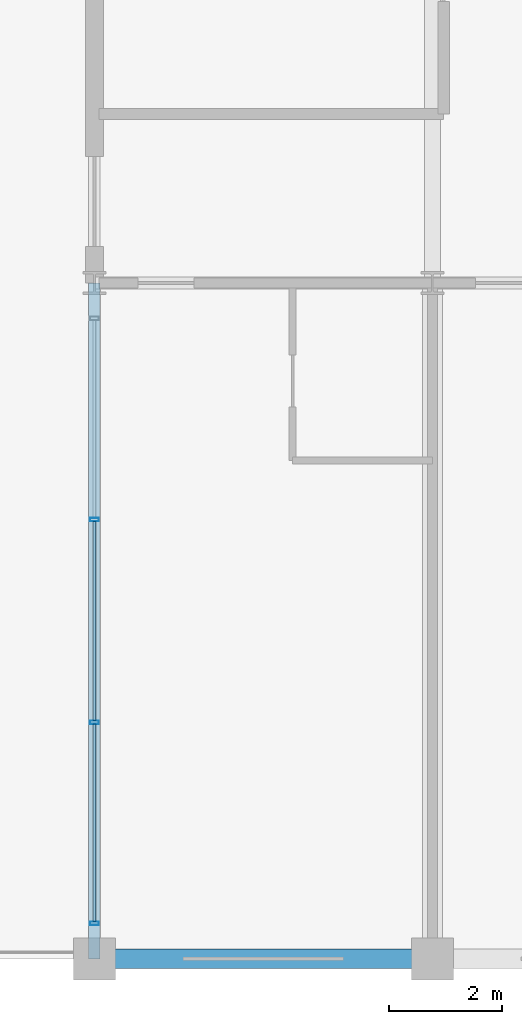
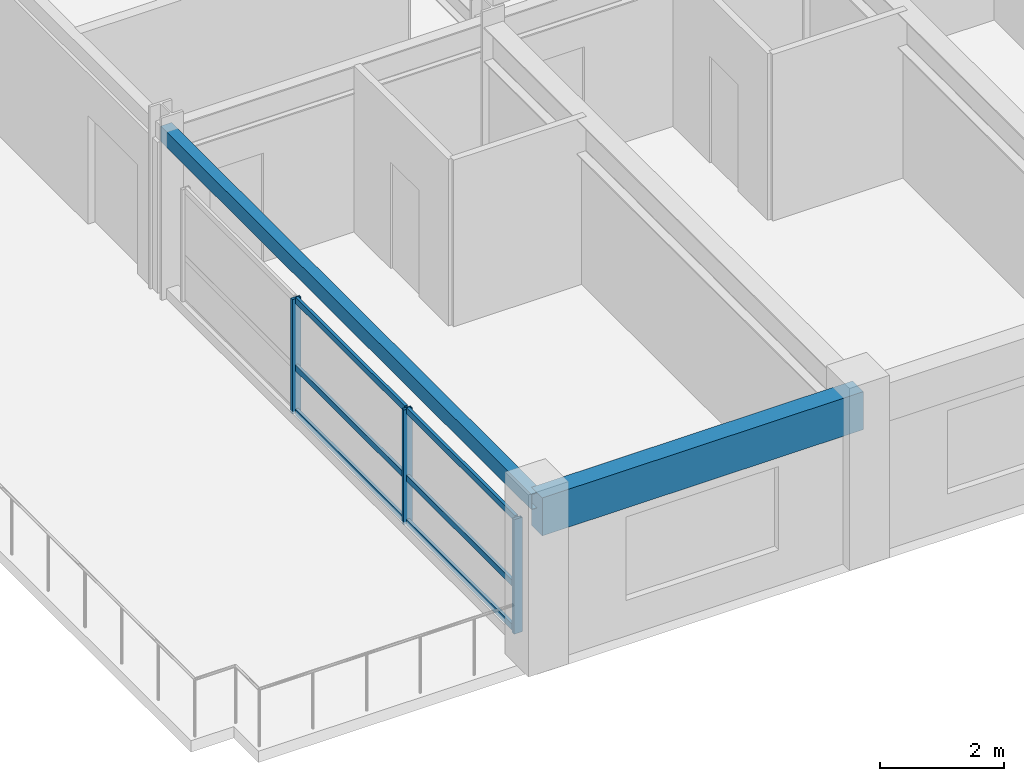
# One storey, part 2 of 21: 9 members, 2 beams, 1 element without a shape of its own.
"""IFC4 building model written with IfcOpenShell, lengths in metres."""

from ifc_helpers import new_model, si_unit, direction, frame, origin, origin_2d, place, context, subcontext, project, spatial, rectangle, hollow_rectangle, extrude, material, material_profile, profile_set, type_object, element, aggregate, save


model = new_model("IFC4")

# Units and contexts
model_context = context("Model", 3, precision=1e-05, world=origin(), true_north=direction((0.0, 1.0)))
body_context = subcontext(model_context, "Body", "Model", "MODEL_VIEW")
ifc_project = project(units=[si_unit("LENGTHUNIT", "METRE"), si_unit("AREAUNIT", "SQUARE_METRE"), si_unit("VOLUMEUNIT", "CUBIC_METRE"), si_unit("PLANEANGLEUNIT", "RADIAN"), si_unit("MASSUNIT", "GRAM", prefix="KILO")], contexts=[model_context])

# Site, building, storey
site_placement = place(None, origin())
site = spatial("IfcSite", under=ifc_project, at=site_placement, CompositionType="ELEMENT")
building_placement = place(site_placement, origin())
building = spatial("IfcBuilding", under=site, at=building_placement, Name="Kaldorvane Square Convention Centre", CompositionType="ELEMENT")
storey_placement = place(building_placement, frame((0.0, 0.0, 49.19999694824219)))
storey = spatial("IfcBuildingStorey", under=building, at=storey_placement, Name="L11", CompositionType="ELEMENT", Elevation=49.19999694824219)

# Beams
ifc_material_1 = material(Name="Steel ASTM A500 Gr. C", Category="steel")
ifc_material_profile_1 = material_profile(ifc_material_1, hollow_rectangle(XDim=0.2032012939453125, YDim=0.3047943115234375, WallThickness=0.0088958740234375, at=origin_2d()), Name="HSS12X8X3/8")
ifc_profile_set_1 = profile_set([ifc_material_profile_1], Name="Steel ASTM A500 Gr. C")
beam_type_1 = type_object("IfcBeamType", Name="BM-SP-HSS12", PredefinedType="SPANDREL", material=ifc_profile_set_1)
beam_1_placement = place(storey_placement, frame((30.0, 84.0, 3.13360595703125), z_axis=(0.0, 1.0, 0.0), x_axis=(-1.0, 0.0, 0.0)))
element("IfcBeam", 1, at=beam_1_placement, inside=storey, type_object=beam_type_1, Name="End Spandrel (L11)", PredefinedType="SPANDREL", context=body_context, shape_type="SweptSolid", body=[
    extrude(hollow_rectangle(XDim=0.2032012939453125, YDim=0.3047943115234375, WallThickness=0.0088958740234375, at=origin_2d()), origin(), (0.0, 0.0, 1.0), 12.0),
])
ifc_material_2 = material(Name="Concrete f'c = 42 MPa (Normalweight)", Category="concrete")
ifc_material_profile_2 = material_profile(ifc_material_2, rectangle(XDim=0.350006103515625, YDim=0.75, at=origin_2d()), Name="RCSP750X350")
ifc_profile_set_2 = profile_set([ifc_material_profile_2], Name="Concrete f'c = 42 MPa (Normalweight)")
beam_type_2 = type_object("IfcBeamType", Name="BM-SP-RC750", PredefinedType="SPANDREL", material=ifc_profile_set_2)
beam_2_placement = place(storey_placement, frame((30.0, 84.0, 2.9109954833984375), z_axis=(1.0, 0.0, 0.0), x_axis=(0.0, 1.0, 0.0)))
element("IfcBeam", 2, at=beam_2_placement, inside=storey, type_object=beam_type_2, Name="Perimeter Spandrel (L11)", PredefinedType="SPANDREL", context=body_context, shape_type="SweptSolid", body=[
    extrude(rectangle(XDim=0.350006103515625, YDim=0.75, at=origin_2d()), origin(), (0.0, 0.0, 1.0), 6.0),
])

# Curtain wall, members
ifc_material_3 = material(Name="Anodized Aluminum and Low-E Insulated Glazing", Category="aluminium")
curtain_wall_type = type_object("IfcCurtainWallType", Name="CW-UNI-HTL-B", PredefinedType="USERDEFINED", material=ifc_material_3)
curtain_wall_placement = place(storey_placement, origin())
curtain_wall = element("IfcCurtainWall", 3, at=curtain_wall_placement, inside=storey, type_object=curtain_wall_type, Name="Curtain Wall CW-11 (L11)", ObjectType="UNITISED GLAZING", PredefinedType="USERDEFINED")
ifc_material_profile_3 = material_profile(ifc_material_3, hollow_rectangle(XDim=0.05999755859375, YDim=0.160003662109375, WallThickness=0.003204345703125, at=origin_2d()), Name="CWM-160X60")
ifc_profile_set_3 = profile_set([ifc_material_profile_3], Name="Anodized Aluminum and Low-E Insulated Glazing")
member_type_1 = type_object("IfcMemberType", Name="CW-MUL-160", PredefinedType="MULLION", material=ifc_profile_set_3)
member_1_placement = place(storey_placement, frame((30.0, 91.80000305175781, 0.1500091552734375), z_axis=(0.0, 0.0, 1.0), x_axis=(0.0, -1.0, 0.0)))
member_1 = element("IfcMember", 4, at=member_1_placement, type_object=member_type_1, Name="CW-11 mullion 2", PredefinedType="MULLION", context=body_context, shape_type="SweptSolid", body=[
    extrude(hollow_rectangle(XDim=0.05999755859375, YDim=0.160003662109375, WallThickness=0.003204345703125, at=origin_2d()), origin(), (0.0, 0.0, 1.0), 2.2599945068359375),
])
member_2_placement = place(storey_placement, frame((30.0, 88.19999694824219, 0.1500091552734375), z_axis=(0.0, 0.0, 1.0), x_axis=(0.0, -1.0, 0.0)))
member_2 = element("IfcMember", 5, at=member_2_placement, type_object=member_type_1, Name="CW-11 mullion 3", PredefinedType="MULLION", context=body_context, shape_type="SweptSolid", body=[
    extrude(hollow_rectangle(XDim=0.05999755859375, YDim=0.160003662109375, WallThickness=0.003204345703125, at=origin_2d()), origin(), (0.0, 0.0, 1.0), 2.2599945068359375),
])
member_3_placement = place(storey_placement, frame((30.0, 84.6300048828125, 0.1500091552734375), z_axis=(0.0, 0.0, 1.0), x_axis=(0.0, -1.0, 0.0)))
member_3 = element("IfcMember", 6, at=member_3_placement, type_object=member_type_1, Name="CW-11 mullion 4", PredefinedType="MULLION", context=body_context, shape_type="SweptSolid", body=[
    extrude(hollow_rectangle(XDim=0.05999755859375, YDim=0.160003662109375, WallThickness=0.003204345703125, at=origin_2d()), origin(), (0.0, 0.0, 1.0), 2.2599945068359375),
])
ifc_material_profile_4 = material_profile(ifc_material_3, hollow_rectangle(XDim=0.05499267578125, YDim=0.1199951171875, WallThickness=0.0030059814453125, at=origin_2d()), Name="CWT-120X55")
ifc_profile_set_4 = profile_set([ifc_material_profile_4], Name="Anodized Aluminum and Low-E Insulated Glazing")
member_type_2 = type_object("IfcMemberType", Name="CW-TRN-120", PredefinedType="USERDEFINED", material=ifc_profile_set_4)
member_4_placement = place(storey_placement, frame((30.0, 91.77000427246094, 0.1775054931640625), z_axis=(0.0, -1.0, 0.0), x_axis=(1.0, 0.0, 0.0)))
member_4 = element("IfcMember", 7, at=member_4_placement, type_object=member_type_2, Name="CW-11 transom 2.1", ObjectType="TRANSOM", PredefinedType="USERDEFINED", context=body_context, shape_type="SweptSolid", body=[
    extrude(hollow_rectangle(XDim=0.05499267578125, YDim=0.1199951171875, WallThickness=0.0030059814453125, at=origin_2d()), origin(), (0.0, 0.0, 1.0), 3.540008544921875),
])
member_5_placement = place(storey_placement, frame((30.0, 91.77000427246094, 1.0500030517578125), z_axis=(0.0, -1.0, 0.0), x_axis=(1.0, 0.0, 0.0)))
member_5 = element("IfcMember", 8, at=member_5_placement, type_object=member_type_2, Name="CW-11 transom 2.2", ObjectType="TRANSOM", PredefinedType="USERDEFINED", context=body_context, shape_type="SweptSolid", body=[
    extrude(hollow_rectangle(XDim=0.05499267578125, YDim=0.1199951171875, WallThickness=0.0030059814453125, at=origin_2d()), origin(), (0.0, 0.0, 1.0), 3.540008544921875),
])
member_6_placement = place(storey_placement, frame((30.0, 91.77000427246094, 2.38250732421875), z_axis=(0.0, -1.0, 0.0), x_axis=(1.0, 0.0, 0.0)))
member_6 = element("IfcMember", 9, at=member_6_placement, type_object=member_type_2, Name="CW-11 transom 2.3", ObjectType="TRANSOM", PredefinedType="USERDEFINED", context=body_context, shape_type="SweptSolid", body=[
    extrude(hollow_rectangle(XDim=0.05499267578125, YDim=0.1199951171875, WallThickness=0.0030059814453125, at=origin_2d()), origin(), (0.0, 0.0, 1.0), 3.540008544921875),
])
member_7_placement = place(storey_placement, frame((30.0, 88.16999816894531, 0.1775054931640625), z_axis=(0.0, -1.0, 0.0), x_axis=(1.0, 0.0, 0.0)))
member_7 = element("IfcMember", 10, at=member_7_placement, type_object=member_type_2, Name="CW-11 transom 3.1", ObjectType="TRANSOM", PredefinedType="USERDEFINED", context=body_context, shape_type="SweptSolid", body=[
    extrude(hollow_rectangle(XDim=0.05499267578125, YDim=0.1199951171875, WallThickness=0.0030059814453125, at=origin_2d()), origin(), (0.0, 0.0, 1.0), 3.5099945068359375),
])
member_8_placement = place(storey_placement, frame((30.0, 88.16999816894531, 1.0500030517578125), z_axis=(0.0, -1.0, 0.0), x_axis=(1.0, 0.0, 0.0)))
member_8 = element("IfcMember", 11, at=member_8_placement, type_object=member_type_2, Name="CW-11 transom 3.2", ObjectType="TRANSOM", PredefinedType="USERDEFINED", context=body_context, shape_type="SweptSolid", body=[
    extrude(hollow_rectangle(XDim=0.05499267578125, YDim=0.1199951171875, WallThickness=0.0030059814453125, at=origin_2d()), origin(), (0.0, 0.0, 1.0), 3.5099945068359375),
])
member_9_placement = place(storey_placement, frame((30.0, 88.16999816894531, 2.38250732421875), z_axis=(0.0, -1.0, 0.0), x_axis=(1.0, 0.0, 0.0)))
member_9 = element("IfcMember", 12, at=member_9_placement, type_object=member_type_2, Name="CW-11 transom 3.3", ObjectType="TRANSOM", PredefinedType="USERDEFINED", context=body_context, shape_type="SweptSolid", body=[
    extrude(hollow_rectangle(XDim=0.05499267578125, YDim=0.1199951171875, WallThickness=0.0030059814453125, at=origin_2d()), origin(), (0.0, 0.0, 1.0), 3.5099945068359375),
])
aggregate(curtain_wall, [member_1, member_2, member_3, member_4, member_5, member_6, member_7, member_8, member_9])

save(model, "model.ifc")
